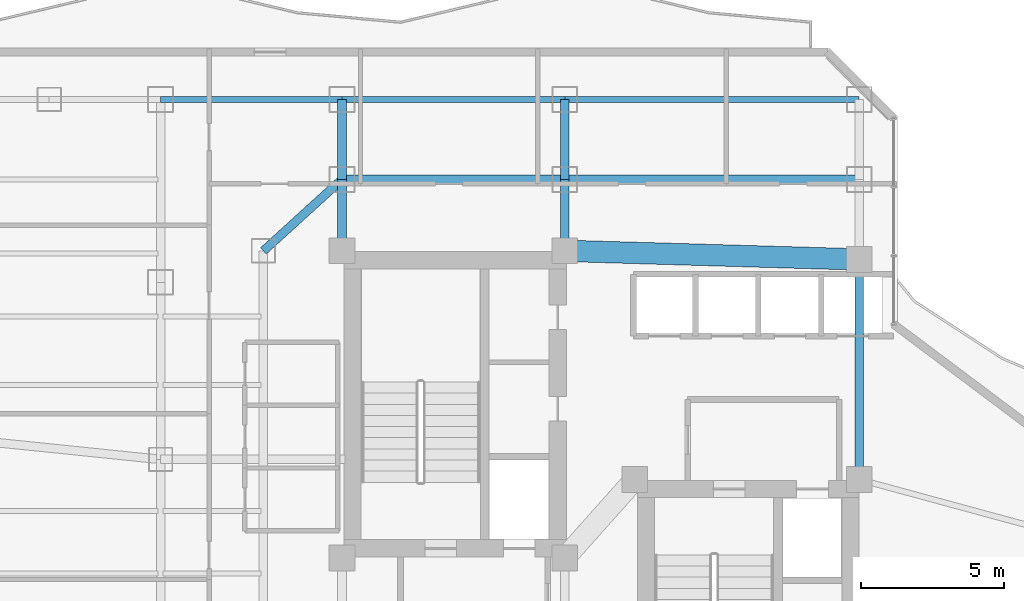
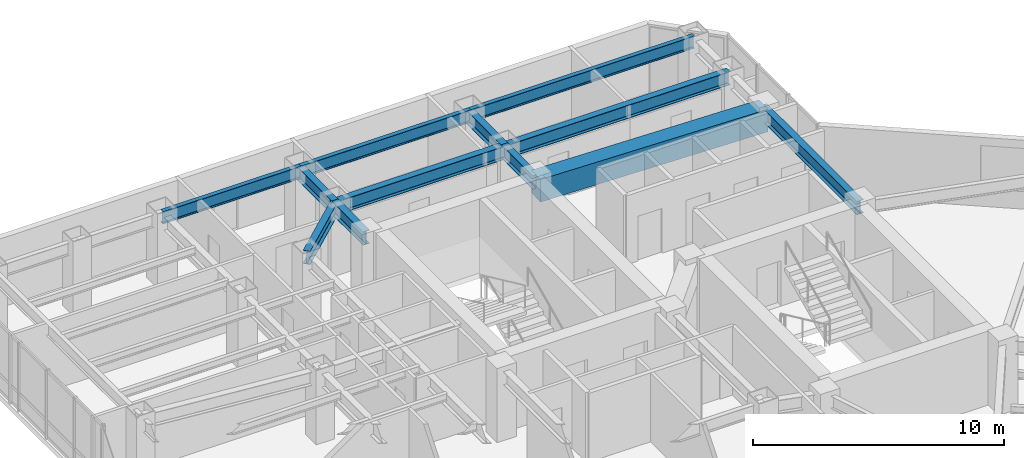
# One storey, part 18 of 31: 12 beams.
"""IFC4 building model written with IfcOpenShell, lengths in metres."""

from ifc_helpers import new_model, si_unit, direction, frame, origin, origin_2d, place, context, subcontext, project, spatial, rectangle, i_section, extrude, material, material_profile, profile_set, type_object, element, save


model = new_model("IFC4")

# Units and contexts
model_context = context("Model", 3, precision=1e-05, world=origin(), true_north=direction((0.0, 1.0)))
body_context = subcontext(model_context, "Body", "Model", "MODEL_VIEW")
ifc_project = project(units=[si_unit("LENGTHUNIT", "METRE"), si_unit("AREAUNIT", "SQUARE_METRE"), si_unit("VOLUMEUNIT", "CUBIC_METRE"), si_unit("PLANEANGLEUNIT", "RADIAN"), si_unit("MASSUNIT", "GRAM", prefix="KILO")], contexts=[model_context])

# Site, building, storey
site_placement = place(None, origin())
site = spatial("IfcSite", under=ifc_project, at=site_placement, CompositionType="ELEMENT")
building_placement = place(site_placement, origin())
building = spatial("IfcBuilding", under=site, at=building_placement, Name="Hatsunagi Terrace Concourse", CompositionType="ELEMENT")
storey_placement = place(building_placement, frame((0.0, 0.0, 112.050048828125)))
storey = spatial("IfcBuildingStorey", under=building, at=storey_placement, Name="L29", CompositionType="ELEMENT", Elevation=112.050048828125)

# Beams
ifc_material_1 = material(Name="Concrete Fc48", Category="concrete")
ifc_material_profile_1 = material_profile(ifc_material_1, rectangle(XDim=0.75, YDim=1.10009765625, at=origin_2d()), Name="RC-750x1100")
ifc_profile_set_1 = profile_set([ifc_material_profile_1], Name="Concrete Fc48")
beam_type_1 = type_object("IfcBeamType", Name="CoreCouplingBeam_RC_750x1100", PredefinedType="BEAM", material=ifc_profile_set_1)
beam_1_placement = place(storey_placement, frame((33.35009765625, 43.300048828125, 2.800048828125), z_axis=(0.999575947545, -0.029119153303, 0.0), x_axis=(0.029119153303, 0.999575947545, 0.0)))
element("IfcBeam", 1, at=beam_1_placement, inside=storey, type_object=beam_type_1, Name="Beam CB-02 CB-L29-2", PredefinedType="BEAM", context=body_context, shape_type="SweptSolid", body=[
    extrude(rectangle(XDim=0.75, YDim=1.10009765625, at=origin_2d()), origin(), (0.0, 0.0, 1.0), 10.30419921875),
])
ifc_material_2 = material(Name="Steel SN490B", Category="steel")
ifc_material_profile_2 = material_profile(ifc_material_2, i_section(OverallWidth=0.300048828125, OverallDepth=0.64990234375, WebThickness=0.012939453125, FlangeThickness=0.02197265625, FilletRadius=0.01806640625, at=origin_2d()), Name="H-650x300x13x22")
ifc_profile_set_2 = profile_set([ifc_material_profile_2], Name="Steel SN490B")
beam_type_2 = type_object("IfcBeamType", Name="OfficeLowGirder_H_650x300", PredefinedType="BEAM", material=ifc_profile_set_2)
beam_2_placement = place(storey_placement, frame((43.64990234375, 35.300048828125, 3.02490234375), z_axis=(0.0, 1.0, 0.0), x_axis=(-1.0, 0.0, 0.0)))
element("IfcBeam", 2, at=beam_2_placement, inside=storey, type_object=beam_type_2, Name="Beam G-05 BM-L29-CBK3", PredefinedType="BEAM", context=body_context, shape_type="SweptSolid", body=[
    extrude(i_section(OverallWidth=0.300048828125, OverallDepth=0.64990234375, WebThickness=0.012939453125, FlangeThickness=0.02197265625, FilletRadius=0.01806640625, at=origin_2d()), origin(), (0.0, 0.0, 1.0), 7.699951171875),
])
for number, where, z_axis, x_axis, name in (
    (3, (25.550048828125, 43.300048828125, 3.02490234375), (0.0, 1.0, 0.0), (-1.0, 0.0, 0.0), "Beam G-05 BM-L29-CN1"),
    (4, (33.35009765625, 43.300048828125, 3.02490234375), (0.0, 1.0, 0.0), (-1.0, 0.0, 0.0), "Beam G-05 BM-L29-CN2"),
):
    element("IfcBeam", number, at=place(storey_placement, frame(where, z_axis=z_axis, x_axis=x_axis)), inside=storey, type_object=beam_type_2, Name=name, PredefinedType="BEAM", context=body_context, shape_type="SweptSolid", body=[
        extrude(i_section(OverallWidth=0.300048828125, OverallDepth=0.64990234375, WebThickness=0.012939453125, FlangeThickness=0.02197265625, FilletRadius=0.01806640625, at=origin_2d()), origin(), (0.0, 0.0, 1.0), 2.5),
    ])
beam_3_placement = place(storey_placement, frame((25.550048828125, 45.800048828125, 3.02490234375), z_axis=(1.0, 0.0, 0.0), x_axis=(0.0, 1.0, 0.0)))
element("IfcBeam", 5, at=beam_3_placement, inside=storey, type_object=beam_type_2, Name="Beam G-05 BM-L29-CNEW1", PredefinedType="BEAM", context=body_context, shape_type="SweptSolid", body=[
    extrude(i_section(OverallWidth=0.300048828125, OverallDepth=0.64990234375, WebThickness=0.012939453125, FlangeThickness=0.02197265625, FilletRadius=0.01806640625, at=origin_2d()), origin(), (0.0, 0.0, 1.0), 7.800048828125),
])
beam_4_placement = place(storey_placement, frame((33.35009765625, 45.800048828125, 3.02490234375), z_axis=(1.0, 0.0, 0.0), x_axis=(0.0, 1.0, 0.0)))
element("IfcBeam", 6, at=beam_4_placement, inside=storey, type_object=beam_type_2, Name="Beam G-05 BM-L29-CNEW2", PredefinedType="BEAM", context=body_context, shape_type="SweptSolid", body=[
    extrude(i_section(OverallWidth=0.300048828125, OverallDepth=0.64990234375, WebThickness=0.012939453125, FlangeThickness=0.02197265625, FilletRadius=0.01806640625, at=origin_2d()), origin(), (0.0, 0.0, 1.0), 10.2998046875),
])
for number, where, z_axis, x_axis, name in (
    (7, (25.550048828125, 45.800048828125, 3.02490234375), (0.0, 1.0, 0.0), (-1.0, 0.0, 0.0), "Beam G-05 BM-L29-KN-WN4"),
    (8, (33.35009765625, 45.800048828125, 3.02490234375), (0.0, 1.0, 0.0), (-1.0, 0.0, 0.0), "Beam G-05 BM-L29-KN-WN5"),
):
    element("IfcBeam", number, at=place(storey_placement, frame(where, z_axis=z_axis, x_axis=x_axis)), inside=storey, type_object=beam_type_2, Name=name, PredefinedType="BEAM", context=body_context, shape_type="SweptSolid", body=[
        extrude(i_section(OverallWidth=0.300048828125, OverallDepth=0.64990234375, WebThickness=0.012939453125, FlangeThickness=0.02197265625, FilletRadius=0.01806640625, at=origin_2d()), origin(), (0.0, 0.0, 1.0), 2.800048828125),
    ])
beam_5_placement = place(storey_placement, frame((22.800048828125, 43.300048828125, 3.02490234375), z_axis=(0.739940073396, 0.672672793996, 0.0), x_axis=(-0.672672793996, 0.739940073396, 0.0)))
element("IfcBeam", 9, at=beam_5_placement, inside=storey, type_object=beam_type_2, Name="Beam G-05 BM-L29-CWEW-N", PredefinedType="BEAM", context=body_context, shape_type="SweptSolid", body=[
    extrude(i_section(OverallWidth=0.300048828125, OverallDepth=0.64990234375, WebThickness=0.012939453125, FlangeThickness=0.02197265625, FilletRadius=0.01806640625, at=origin_2d()), origin(), (0.0, 0.0, 1.0), 3.716552734375),
])
ifc_material_3 = material(Name="Steel SN490B", Category="steel")
ifc_material_profile_3 = material_profile(ifc_material_3, i_section(OverallWidth=0.199951171875, OverallDepth=0.60009765625, WebThickness=0.010986328125, FlangeThickness=0.01708984375, FilletRadius=0.01806640625, at=origin_2d()), Name="H-600x200x11x17")
ifc_profile_set_3 = profile_set([ifc_material_profile_3], Name="Steel SN490B")
beam_type_3 = type_object("IfcBeamType", Name="PerimeterSpandrel_H_600x200", PredefinedType="SPANDREL", material=ifc_profile_set_3)
beam_6_placement = place(storey_placement, frame((19.199951171875, 48.60009765625, 3.050048828125), z_axis=(1.0, 0.0, 0.0), x_axis=(0.0, 1.0, 0.0)))
element("IfcBeam", 10, at=beam_6_placement, inside=storey, type_object=beam_type_3, Name="Beam SP-01 BM-L29-WN-19", PredefinedType="SPANDREL", context=body_context, shape_type="SweptSolid", body=[
    extrude(i_section(OverallWidth=0.199951171875, OverallDepth=0.60009765625, WebThickness=0.010986328125, FlangeThickness=0.01708984375, FilletRadius=0.01806640625, at=origin_2d()), origin(), (0.0, 0.0, 1.0), 6.35009765625),
])
beam_7_placement = place(storey_placement, frame((25.550048828125, 48.60009765625, 3.050048828125), z_axis=(1.0, 0.0, 0.0), x_axis=(0.0, 1.0, 0.0)))
element("IfcBeam", 11, at=beam_7_placement, inside=storey, type_object=beam_type_3, Name="Beam SP-01 BM-L29-WN-25", PredefinedType="SPANDREL", context=body_context, shape_type="SweptSolid", body=[
    extrude(i_section(OverallWidth=0.199951171875, OverallDepth=0.60009765625, WebThickness=0.010986328125, FlangeThickness=0.01708984375, FilletRadius=0.01806640625, at=origin_2d()), origin(), (0.0, 0.0, 1.0), 7.800048828125),
])
beam_8_placement = place(storey_placement, frame((33.35009765625, 48.60009765625, 3.050048828125), z_axis=(1.0, 0.0, 0.0), x_axis=(0.0, 1.0, 0.0)))
element("IfcBeam", 12, at=beam_8_placement, inside=storey, type_object=beam_type_3, Name="Beam SP-01 BM-L29-WN-33", PredefinedType="SPANDREL", context=body_context, shape_type="SweptSolid", body=[
    extrude(i_section(OverallWidth=0.199951171875, OverallDepth=0.60009765625, WebThickness=0.010986328125, FlangeThickness=0.01708984375, FilletRadius=0.01806640625, at=origin_2d()), origin(), (0.0, 0.0, 1.0), 10.2998046875),
])

save(model, "model.ifc")
